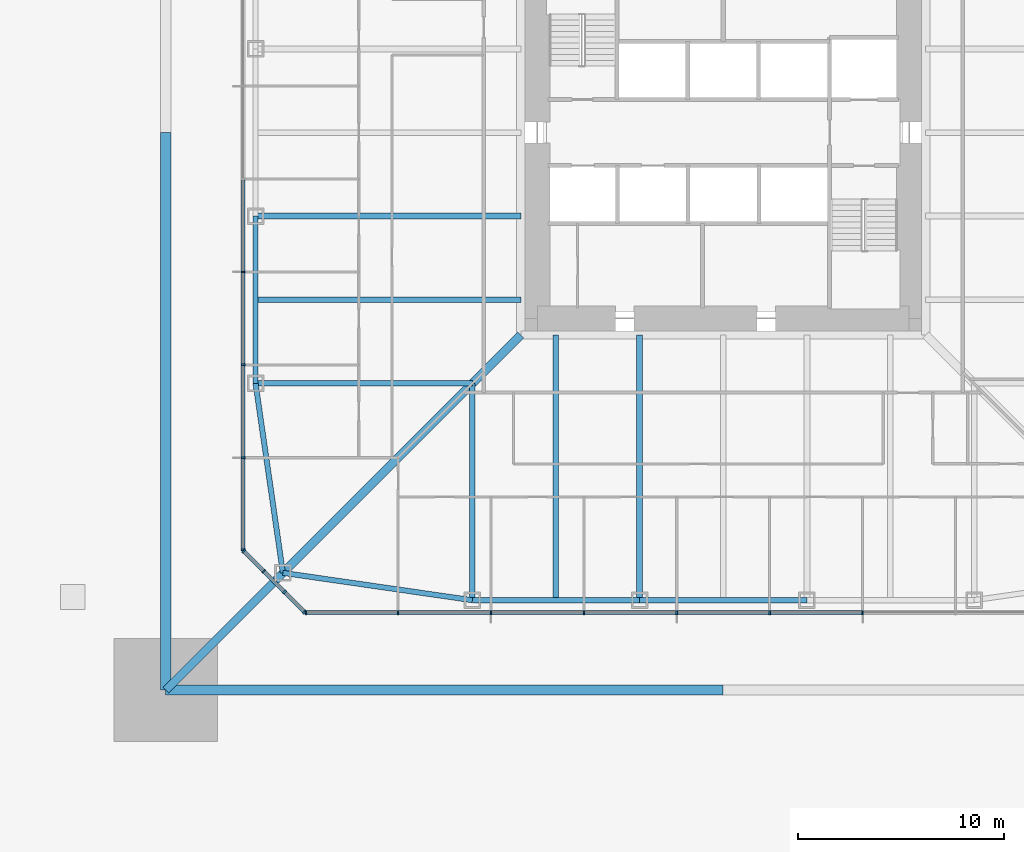
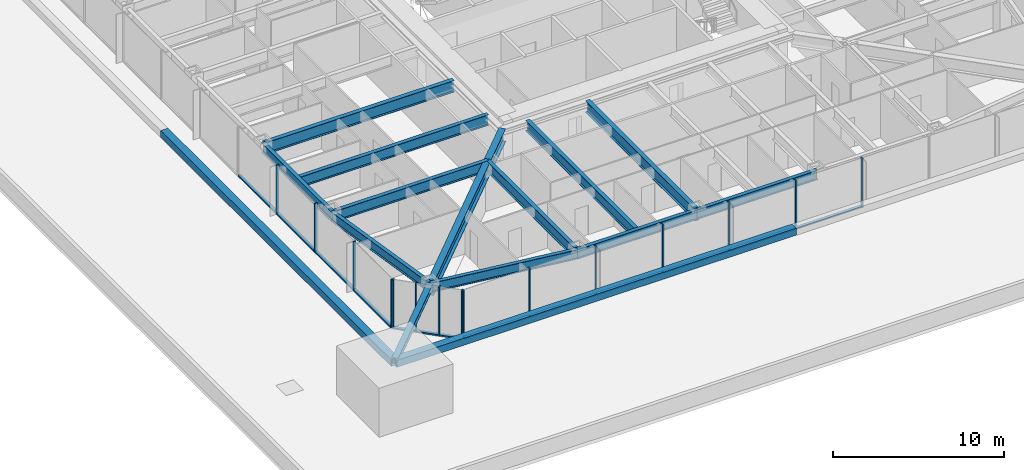
# One storey, part 3 of 31: 31 members, 12 beams, 3 elements without a shape of their own.
"""IFC4 building model written with IfcOpenShell, lengths in metres."""

from ifc_helpers import new_model, si_unit, direction, frame, origin, origin_2d, place, context, subcontext, project, spatial, rectangle, hollow_rectangle, i_section, extrude, material, material_profile, profile_set, type_object, element, aggregate, save


model = new_model("IFC4")

# Units and contexts
model_context = context("Model", 3, precision=1e-05, world=origin(), true_north=direction((0.0, 1.0)))
body_context = subcontext(model_context, "Body", "Model", "MODEL_VIEW")
ifc_project = project(units=[si_unit("LENGTHUNIT", "METRE"), si_unit("AREAUNIT", "SQUARE_METRE"), si_unit("VOLUMEUNIT", "CUBIC_METRE"), si_unit("PLANEANGLEUNIT", "RADIAN"), si_unit("MASSUNIT", "GRAM", prefix="KILO")], contexts=[model_context])

# Site, building, storey
site_placement = place(None, origin())
site = spatial("IfcSite", under=ifc_project, at=site_placement, CompositionType="ELEMENT")
building_placement = place(site_placement, origin())
building = spatial("IfcBuilding", under=site, at=building_placement, Name="Iwan Alto Co-Living Towers", CompositionType="ELEMENT")
storey_placement = place(building_placement, frame((0.0, 0.0, 15.0)))
storey = spatial("IfcBuildingStorey", under=building, at=storey_placement, Name="L03", CompositionType="ELEMENT", Elevation=15.0)

# Curtain wall, members
ifc_material_1 = material(Name="Bronze aluminium unitised frame", Category="aluminium")
curtain_wall_type_1 = type_object("IfcCurtainWallType", Name="CURTAIN WALL CW-A", PredefinedType="NOTDEFINED", material=ifc_material_1)
curtain_wall_1_placement = place(storey_placement, origin())
curtain_wall_1 = element("IfcCurtainWall", 1, at=curtain_wall_1_placement, inside=storey, type_object=curtain_wall_type_1, Name="T1 curtain wall S L03", PredefinedType="NOTDEFINED")
ifc_material_2 = material(Name="Aluminium 6063-T6 bronze anodised", Category="aluminium")
ifc_material_profile_1 = material_profile(ifc_material_2, rectangle(XDim=0.199951171875, YDim=0.080078125, at=origin_2d()), Name="AL 80X200")
ifc_profile_set_1 = profile_set([ifc_material_profile_1], Name="Aluminium 6063-T6 bronze anodised")
member_type_1 = type_object("IfcMemberType", Name="CW-A MULLION 80X200", PredefinedType="MULLION", material=ifc_profile_set_1)
member_1_placement = place(storey_placement, frame((-20.2099609375, -23.25, 0.0), z_axis=(0.0, 0.0, 1.0), x_axis=(0.0, 1.0, 0.0)))
member_1 = element("IfcMember", 2, at=member_1_placement, type_object=member_type_1, Name="CW-A mullion 1", PredefinedType="MULLION", context=body_context, shape_type="SweptSolid", body=[
    extrude(rectangle(XDim=0.199951171875, YDim=0.080078125, at=origin_2d()), origin(), (0.0, 0.0, 1.0), 3.5),
])
member_2_placement = place(storey_placement, frame((-15.75, -23.25, 0.0), z_axis=(0.0, 0.0, 1.0), x_axis=(0.0, 1.0, 0.0)))
member_2 = element("IfcMember", 3, at=member_2_placement, type_object=member_type_1, Name="CW-A mullion 2", PredefinedType="MULLION", context=body_context, shape_type="SweptSolid", body=[
    extrude(rectangle(XDim=0.199951171875, YDim=0.080078125, at=origin_2d()), origin(), (0.0, 0.0, 1.0), 3.5),
])
member_3_placement = place(storey_placement, frame((-11.25, -23.25, 0.0), z_axis=(0.0, 0.0, 1.0), x_axis=(0.0, 1.0, 0.0)))
member_3 = element("IfcMember", 4, at=member_3_placement, type_object=member_type_1, Name="CW-A mullion 3", PredefinedType="MULLION", context=body_context, shape_type="SweptSolid", body=[
    extrude(rectangle(XDim=0.199951171875, YDim=0.080078125, at=origin_2d()), origin(), (0.0, 0.0, 1.0), 3.5),
])
member_4_placement = place(storey_placement, frame((-6.75, -23.25, 0.0), z_axis=(0.0, 0.0, 1.0), x_axis=(0.0, 1.0, 0.0)))
member_4 = element("IfcMember", 5, at=member_4_placement, type_object=member_type_1, Name="CW-A mullion 4", PredefinedType="MULLION", context=body_context, shape_type="SweptSolid", body=[
    extrude(rectangle(XDim=0.199951171875, YDim=0.080078125, at=origin_2d()), origin(), (0.0, 0.0, 1.0), 3.5),
])
member_5_placement = place(storey_placement, frame((-2.25, -23.25, 0.0), z_axis=(0.0, 0.0, 1.0), x_axis=(0.0, 1.0, 0.0)))
member_5 = element("IfcMember", 6, at=member_5_placement, type_object=member_type_1, Name="CW-A mullion 5", PredefinedType="MULLION", context=body_context, shape_type="SweptSolid", body=[
    extrude(rectangle(XDim=0.199951171875, YDim=0.080078125, at=origin_2d()), origin(), (0.0, 0.0, 1.0), 3.5),
])
member_6_placement = place(storey_placement, frame((2.25, -23.25, 0.0), z_axis=(0.0, 0.0, 1.0), x_axis=(0.0, 1.0, 0.0)))
member_6 = element("IfcMember", 7, at=member_6_placement, type_object=member_type_1, Name="CW-A mullion 6", PredefinedType="MULLION", context=body_context, shape_type="SweptSolid", body=[
    extrude(rectangle(XDim=0.199951171875, YDim=0.080078125, at=origin_2d()), origin(), (0.0, 0.0, 1.0), 3.5),
])
member_7_placement = place(storey_placement, frame((6.75, -23.25, 0.0), z_axis=(0.0, 0.0, 1.0), x_axis=(0.0, 1.0, 0.0)))
member_7 = element("IfcMember", 8, at=member_7_placement, type_object=member_type_1, Name="CW-A mullion 7", PredefinedType="MULLION", context=body_context, shape_type="SweptSolid", body=[
    extrude(rectangle(XDim=0.199951171875, YDim=0.080078125, at=origin_2d()), origin(), (0.0, 0.0, 1.0), 3.5),
])

curtain_wall_2_placement = place(storey_placement, origin())
curtain_wall_2 = element("IfcCurtainWall", 9, at=curtain_wall_2_placement, inside=storey, type_object=curtain_wall_type_1, Name="T1 curtain wall W L03", PredefinedType="NOTDEFINED")
member_8_placement = place(storey_placement, frame((-23.25, -6.75, 0.0), z_axis=(0.0, 0.0, 1.0), x_axis=(1.0, 0.0, 0.0)))
member_8 = element("IfcMember", 10, at=member_8_placement, type_object=member_type_1, Name="CW-A mullion 7", PredefinedType="MULLION", context=body_context, shape_type="SweptSolid", body=[
    extrude(rectangle(XDim=0.199951171875, YDim=0.080078125, at=origin_2d()), origin(), (0.0, 0.0, 1.0), 3.5),
])
member_9_placement = place(storey_placement, frame((-23.25, -11.25, 0.0), z_axis=(0.0, 0.0, 1.0), x_axis=(1.0, 0.0, 0.0)))
member_9 = element("IfcMember", 11, at=member_9_placement, type_object=member_type_1, Name="CW-A mullion 8", PredefinedType="MULLION", context=body_context, shape_type="SweptSolid", body=[
    extrude(rectangle(XDim=0.199951171875, YDim=0.080078125, at=origin_2d()), origin(), (0.0, 0.0, 1.0), 3.5),
])
member_10_placement = place(storey_placement, frame((-23.25, -15.75, 0.0), z_axis=(0.0, 0.0, 1.0), x_axis=(1.0, 0.0, 0.0)))
member_10 = element("IfcMember", 12, at=member_10_placement, type_object=member_type_1, Name="CW-A mullion 9", PredefinedType="MULLION", context=body_context, shape_type="SweptSolid", body=[
    extrude(rectangle(XDim=0.199951171875, YDim=0.080078125, at=origin_2d()), origin(), (0.0, 0.0, 1.0), 3.5),
])
member_11_placement = place(storey_placement, frame((-23.25, -20.2099609375, 0.0), z_axis=(0.0, 0.0, 1.0), x_axis=(1.0, 0.0, 0.0)))
member_11 = element("IfcMember", 13, at=member_11_placement, type_object=member_type_1, Name="CW-A mullion 10", PredefinedType="MULLION", context=body_context, shape_type="SweptSolid", body=[
    extrude(rectangle(XDim=0.199951171875, YDim=0.080078125, at=origin_2d()), origin(), (0.0, 0.0, 1.0), 3.5),
])

# Member
ifc_material_3 = material(Name="Aluminium 6063-T6 bronze anodised", Category="aluminium")
ifc_material_profile_2 = material_profile(ifc_material_3, rectangle(XDim=0.199951171875, YDim=0.10009765625, at=origin_2d()), Name="AL 200X100")
ifc_profile_set_2 = profile_set([ifc_material_profile_2], Name="Aluminium 6063-T6 bronze anodised")
member_type_2 = type_object("IfcMemberType", Name="CW-A TRANSOM 200X100", PredefinedType="USERDEFINED", material=ifc_profile_set_2)
member_12_placement = place(storey_placement, frame((-20.169921875, -23.25, 0.050048828125), z_axis=(1.0, 0.0, 0.0), x_axis=(0.0, 1.0, 0.0)))
member_12 = element("IfcMember", 14, at=member_12_placement, type_object=member_type_2, Name="CW-A transom 1.1", ObjectType="TRANSOM", PredefinedType="USERDEFINED", context=body_context, shape_type="SweptSolid", body=[
    extrude(rectangle(XDim=0.199951171875, YDim=0.10009765625, at=origin_2d()), origin(), (0.0, 0.0, 1.0), 4.3798828125),
])

member_13_placement = place(storey_placement, frame((-15.7099609375, -23.25, 0.050048828125), z_axis=(1.0, 0.0, 0.0), x_axis=(0.0, 1.0, 0.0)))
member_13 = element("IfcMember", 15, at=member_13_placement, type_object=member_type_2, Name="CW-A transom 2.1", ObjectType="TRANSOM", PredefinedType="USERDEFINED", context=body_context, shape_type="SweptSolid", body=[
    extrude(rectangle(XDim=0.199951171875, YDim=0.10009765625, at=origin_2d()), origin(), (0.0, 0.0, 1.0), 4.419921875),
])

member_14_placement = place(storey_placement, frame((-11.2099609375, -23.25, 0.050048828125), z_axis=(1.0, 0.0, 0.0), x_axis=(0.0, 1.0, 0.0)))
member_14 = element("IfcMember", 16, at=member_14_placement, type_object=member_type_2, Name="CW-A transom 3.1", ObjectType="TRANSOM", PredefinedType="USERDEFINED", context=body_context, shape_type="SweptSolid", body=[
    extrude(rectangle(XDim=0.199951171875, YDim=0.10009765625, at=origin_2d()), origin(), (0.0, 0.0, 1.0), 4.419921875),
])

member_15_placement = place(storey_placement, frame((-6.7099609375, -23.25, 0.050048828125), z_axis=(1.0, 0.0, 0.0), x_axis=(0.0, 1.0, 0.0)))
member_15 = element("IfcMember", 17, at=member_15_placement, type_object=member_type_2, Name="CW-A transom 4.1", ObjectType="TRANSOM", PredefinedType="USERDEFINED", context=body_context, shape_type="SweptSolid", body=[
    extrude(rectangle(XDim=0.199951171875, YDim=0.10009765625, at=origin_2d()), origin(), (0.0, 0.0, 1.0), 4.419921875),
])

member_16_placement = place(storey_placement, frame((-2.2099609375, -23.25, 0.050048828125), z_axis=(1.0, 0.0, 0.0), x_axis=(0.0, 1.0, 0.0)))
member_16 = element("IfcMember", 18, at=member_16_placement, type_object=member_type_2, Name="CW-A transom 5.1", ObjectType="TRANSOM", PredefinedType="USERDEFINED", context=body_context, shape_type="SweptSolid", body=[
    extrude(rectangle(XDim=0.199951171875, YDim=0.10009765625, at=origin_2d()), origin(), (0.0, 0.0, 1.0), 4.419921875),
])

member_17_placement = place(storey_placement, frame((2.2900390625, -23.25, 0.050048828125), z_axis=(1.0, 0.0, 0.0), x_axis=(0.0, 1.0, 0.0)))
member_17 = element("IfcMember", 19, at=member_17_placement, type_object=member_type_2, Name="CW-A transom 6.1", ObjectType="TRANSOM", PredefinedType="USERDEFINED", context=body_context, shape_type="SweptSolid", body=[
    extrude(rectangle(XDim=0.199951171875, YDim=0.10009765625, at=origin_2d()), origin(), (0.0, 0.0, 1.0), 4.419921875),
])

aggregate(curtain_wall_1, [member_1, member_2, member_3, member_4, member_5, member_6, member_7, member_12, member_13, member_14, member_15, member_16, member_17])

member_18_placement = place(storey_placement, frame((-23.25, -2.2900390625, 0.050048828125), z_axis=(0.0, -1.0, 0.0), x_axis=(1.0, 0.0, 0.0)))
member_18 = element("IfcMember", 20, at=member_18_placement, type_object=member_type_2, Name="CW-A transom 6.1", ObjectType="TRANSOM", PredefinedType="USERDEFINED", context=body_context, shape_type="SweptSolid", body=[
    extrude(rectangle(XDim=0.199951171875, YDim=0.10009765625, at=origin_2d()), origin(), (0.0, 0.0, 1.0), 4.419921875),
])

member_19_placement = place(storey_placement, frame((-23.25, -6.7900390625, 0.050048828125), z_axis=(0.0, -1.0, 0.0), x_axis=(1.0, 0.0, 0.0)))
member_19 = element("IfcMember", 21, at=member_19_placement, type_object=member_type_2, Name="CW-A transom 7.1", ObjectType="TRANSOM", PredefinedType="USERDEFINED", context=body_context, shape_type="SweptSolid", body=[
    extrude(rectangle(XDim=0.199951171875, YDim=0.10009765625, at=origin_2d()), origin(), (0.0, 0.0, 1.0), 4.419921875),
])

member_20_placement = place(storey_placement, frame((-23.25, -11.2900390625, 0.050048828125), z_axis=(0.0, -1.0, 0.0), x_axis=(1.0, 0.0, 0.0)))
member_20 = element("IfcMember", 22, at=member_20_placement, type_object=member_type_2, Name="CW-A transom 8.1", ObjectType="TRANSOM", PredefinedType="USERDEFINED", context=body_context, shape_type="SweptSolid", body=[
    extrude(rectangle(XDim=0.199951171875, YDim=0.10009765625, at=origin_2d()), origin(), (0.0, 0.0, 1.0), 4.419921875),
])

member_21_placement = place(storey_placement, frame((-23.25, -15.7900390625, 0.050048828125), z_axis=(0.0, -1.0, 0.0), x_axis=(1.0, 0.0, 0.0)))
member_21 = element("IfcMember", 23, at=member_21_placement, type_object=member_type_2, Name="CW-A transom 9.1", ObjectType="TRANSOM", PredefinedType="USERDEFINED", context=body_context, shape_type="SweptSolid", body=[
    extrude(rectangle(XDim=0.199951171875, YDim=0.10009765625, at=origin_2d()), origin(), (0.0, 0.0, 1.0), 4.3798828125),
])

aggregate(curtain_wall_2, [member_8, member_9, member_10, member_11, member_18, member_19, member_20, member_21])

# Curtain wall, members
ifc_material_4 = material(Name="Bronze aluminium unitised frame", Category="aluminium")
curtain_wall_type_2 = type_object("IfcCurtainWallType", Name="CURTAIN WALL CW-B", PredefinedType="NOTDEFINED", material=ifc_material_4)
curtain_wall_3_placement = place(storey_placement, origin())
curtain_wall_3 = element("IfcCurtainWall", 24, at=curtain_wall_3_placement, inside=storey, type_object=curtain_wall_type_2, Name="T1 chamfer curtain wall SW L03", PredefinedType="NOTDEFINED")
ifc_material_5 = material(Name="Aluminium 6063-T6 bronze anodised", Category="aluminium")
ifc_material_profile_3 = material_profile(ifc_material_5, rectangle(XDim=0.199951171875, YDim=0.080078125, at=origin_2d()), Name="AL 80X200")
ifc_profile_set_3 = profile_set([ifc_material_profile_3], Name="Aluminium 6063-T6 bronze anodised")
member_type_3 = type_object("IfcMemberType", Name="CW-B MULLION 80X200", PredefinedType="MULLION", material=ifc_profile_set_3)
member_22_placement = place(storey_placement, frame((-23.2216796875, -20.2783203125, 0.0), z_axis=(0.0, 0.0, 1.0), x_axis=(0.707106781187, 0.707106781187, 0.0)))
member_22 = element("IfcMember", 25, at=member_22_placement, type_object=member_type_3, Name="CW-B mullion 1", PredefinedType="MULLION", context=body_context, shape_type="SweptSolid", body=[
    extrude(rectangle(XDim=0.199951171875, YDim=0.080078125, at=origin_2d()), origin(), (0.0, 0.0, 1.0), 3.5),
])
member_23_placement = place(storey_placement, frame((-22.25, -21.25, 0.0), z_axis=(0.0, 0.0, 1.0), x_axis=(0.707106781187, 0.707106781187, 0.0)))
member_23 = element("IfcMember", 26, at=member_23_placement, type_object=member_type_3, Name="CW-B mullion 2", PredefinedType="MULLION", context=body_context, shape_type="SweptSolid", body=[
    extrude(rectangle(XDim=0.199951171875, YDim=0.080078125, at=origin_2d()), origin(), (0.0, 0.0, 1.0), 3.5),
])
member_24_placement = place(storey_placement, frame((-21.25, -22.25, 0.0), z_axis=(0.0, 0.0, 1.0), x_axis=(0.707106781187, 0.707106781187, 0.0)))
member_24 = element("IfcMember", 27, at=member_24_placement, type_object=member_type_3, Name="CW-B mullion 3", PredefinedType="MULLION", context=body_context, shape_type="SweptSolid", body=[
    extrude(rectangle(XDim=0.199951171875, YDim=0.080078125, at=origin_2d()), origin(), (0.0, 0.0, 1.0), 3.5),
])
member_25_placement = place(storey_placement, frame((-20.2783203125, -23.2216796875, 0.0), z_axis=(0.0, 0.0, 1.0), x_axis=(0.707106781187, 0.707106781187, 0.0)))
member_25 = element("IfcMember", 28, at=member_25_placement, type_object=member_type_3, Name="CW-B mullion 4", PredefinedType="MULLION", context=body_context, shape_type="SweptSolid", body=[
    extrude(rectangle(XDim=0.199951171875, YDim=0.080078125, at=origin_2d()), origin(), (0.0, 0.0, 1.0), 3.5),
])
ifc_material_6 = material(Name="Aluminium 6063-T6 bronze anodised", Category="aluminium")
ifc_material_profile_4 = material_profile(ifc_material_6, rectangle(XDim=0.199951171875, YDim=0.10009765625, at=origin_2d()), Name="AL 200X100")
ifc_profile_set_4 = profile_set([ifc_material_profile_4], Name="Aluminium 6063-T6 bronze anodised")
member_type_4 = type_object("IfcMemberType", Name="CW-B TRANSOM 200X100", PredefinedType="USERDEFINED", material=ifc_profile_set_4)
member_26_placement = place(storey_placement, frame((-23.193359375, -20.306640625, 0.050048828125), z_axis=(0.707106781187, -0.707106781187, 0.0), x_axis=(0.707106781187, 0.707106781187, 0.0)))
member_26 = element("IfcMember", 29, at=member_26_placement, type_object=member_type_4, Name="CW-B transom 1.1", ObjectType="TRANSOM", PredefinedType="USERDEFINED", context=body_context, shape_type="SweptSolid", body=[
    extrude(rectangle(XDim=0.199951171875, YDim=0.10009765625, at=origin_2d()), origin(), (0.0, 0.0, 1.0), 1.2939453125),
])
member_27_placement = place(storey_placement, frame((-22.2216796875, -21.2783203125, 0.050048828125), z_axis=(0.707106781187, -0.707106781187, 0.0), x_axis=(0.707106781187, 0.707106781187, 0.0)))
member_27 = element("IfcMember", 30, at=member_27_placement, type_object=member_type_4, Name="CW-B transom 2.1", ObjectType="TRANSOM", PredefinedType="USERDEFINED", context=body_context, shape_type="SweptSolid", body=[
    extrude(rectangle(XDim=0.199951171875, YDim=0.10009765625, at=origin_2d()), origin(), (0.0, 0.0, 1.0), 1.334228515625),
])
member_28_placement = place(storey_placement, frame((-21.2216796875, -22.2783203125, 0.050048828125), z_axis=(0.707106781187, -0.707106781187, 0.0), x_axis=(0.707106781187, 0.707106781187, 0.0)))
member_28 = element("IfcMember", 31, at=member_28_placement, type_object=member_type_4, Name="CW-B transom 3.1", ObjectType="TRANSOM", PredefinedType="USERDEFINED", context=body_context, shape_type="SweptSolid", body=[
    extrude(rectangle(XDim=0.199951171875, YDim=0.10009765625, at=origin_2d()), origin(), (0.0, 0.0, 1.0), 1.2939453125),
])
aggregate(curtain_wall_3, [member_22, member_23, member_24, member_25, member_26, member_27, member_28])

# Beams
ifc_material_7 = material(Name="Steel ASTM A992 Gr 50", Category="steel")
ifc_material_profile_5 = material_profile(ifc_material_7, i_section(OverallWidth=0.419189453125, OverallDepth=0.927001953125, WebThickness=0.019287109375, FlangeThickness=0.031982421875, at=origin_2d()), Name="W36X231")
ifc_profile_set_5 = profile_set([ifc_material_profile_5], Name="Steel ASTM A992 Gr 50")
beam_type_1 = type_object("IfcBeamType", Name="T1 CORNER GIRDER W36X231", PredefinedType="BEAM", material=ifc_profile_set_5)
beam_1_placement = place(storey_placement, frame((-21.32568359375, -21.32568359375, 2.806396484375), z_axis=(0.707106781187, 0.707106781187, 0.0), x_axis=(-0.707106781187, 0.707106781187, 0.0)))
element("IfcBeam", 32, at=beam_1_placement, inside=storey, type_object=beam_type_1, Name="T1 corner girder CSW L04", PredefinedType="BEAM", context=body_context, shape_type="SweptSolid", body=[
    extrude(i_section(OverallWidth=0.419189453125, OverallDepth=0.927001953125, WebThickness=0.019287109375, FlangeThickness=0.031982421875, at=origin_2d()), origin(), (0.0, 0.0, 1.0), 16.296875),
])
ifc_material_8 = material(Name="Steel ASTM A992 Gr 50", Category="steel")
ifc_material_profile_6 = material_profile(ifc_material_8, i_section(OverallWidth=0.25390625, OverallDepth=0.683349609375, WebThickness=0.012451171875, FlangeThickness=0.018798828125, at=origin_2d()), Name="W27X94")
ifc_profile_set_6 = profile_set([ifc_material_profile_6], Name="Steel ASTM A992 Gr 50")
beam_type_2 = type_object("IfcBeamType", Name="T1 EDGE BEAM W27X94", PredefinedType="BEAM", material=ifc_profile_set_6)
beam_2_placement = place(storey_placement, frame((-21.32568359375, -21.32568359375, 2.928466796875), z_axis=(0.989746234347, -0.142836940589, 0.0), x_axis=(0.142836940589, 0.989746234347, 0.0)))
element("IfcBeam", 33, at=beam_2_placement, inside=storey, type_object=beam_type_2, Name="T1 edge beam CSW L04", PredefinedType="BEAM", context=body_context, shape_type="SweptSolid", body=[
    extrude(i_section(OverallWidth=0.25390625, OverallDepth=0.683349609375, WebThickness=0.012451171875, FlangeThickness=0.018798828125, at=origin_2d()), origin(), (0.0, 0.0, 1.0), 9.270751953125),
])
beam_3_placement = place(storey_placement, frame((-12.14990234375, -22.64990234375, 2.928466796875), z_axis=(1.0, 0.0, 0.0), x_axis=(0.0, 1.0, 0.0)))
element("IfcBeam", 34, at=beam_3_placement, inside=storey, type_object=beam_type_2, Name="T1 edge beam S1 L04", PredefinedType="BEAM", context=body_context, shape_type="SweptSolid", body=[
    extrude(i_section(OverallWidth=0.25390625, OverallDepth=0.683349609375, WebThickness=0.012451171875, FlangeThickness=0.018798828125, at=origin_2d()), origin(), (0.0, 0.0, 1.0), 8.099853515625),
])
beam_4_placement = place(storey_placement, frame((-4.050048828125, -22.64990234375, 2.928466796875), z_axis=(1.0, 0.0, 0.0), x_axis=(0.0, 1.0, 0.0)))
element("IfcBeam", 35, at=beam_4_placement, inside=storey, type_object=beam_type_2, Name="T1 edge beam S2 L04", PredefinedType="BEAM", context=body_context, shape_type="SweptSolid", body=[
    extrude(i_section(OverallWidth=0.25390625, OverallDepth=0.683349609375, WebThickness=0.012451171875, FlangeThickness=0.018798828125, at=origin_2d()), origin(), (0.0, 0.0, 1.0), 8.10009765625),
])
beam_5_placement = place(storey_placement, frame((-22.64990234375, -4.050048828125, 2.928466796875), z_axis=(0.0, -1.0, 0.0), x_axis=(1.0, 0.0, 0.0)))
element("IfcBeam", 36, at=beam_5_placement, inside=storey, type_object=beam_type_2, Name="T1 edge beam W3 L04", PredefinedType="BEAM", context=body_context, shape_type="SweptSolid", body=[
    extrude(i_section(OverallWidth=0.25390625, OverallDepth=0.683349609375, WebThickness=0.012451171875, FlangeThickness=0.018798828125, at=origin_2d()), origin(), (0.0, 0.0, 1.0), 8.099853515625),
])
beam_6_placement = place(storey_placement, frame((-22.64990234375, -12.14990234375, 2.928466796875), z_axis=(0.142836940589, -0.989746234347, 0.0), x_axis=(0.989746234347, 0.142836940589, 0.0)))
element("IfcBeam", 37, at=beam_6_placement, inside=storey, type_object=beam_type_2, Name="T1 edge beam W4 L04", PredefinedType="BEAM", context=body_context, shape_type="SweptSolid", body=[
    extrude(i_section(OverallWidth=0.25390625, OverallDepth=0.683349609375, WebThickness=0.012451171875, FlangeThickness=0.018798828125, at=origin_2d()), origin(), (0.0, 0.0, 1.0), 9.270751953125),
])

# Members
ifc_material_9 = material(Name="Steel ASTM A992 Gr 50", Category="steel")
ifc_material_profile_7 = material_profile(ifc_material_9, i_section(OverallWidth=0.393798828125, OverallDepth=0.3759765625, WebThickness=0.017333984375, FlangeThickness=0.027587890625, at=origin_2d()), Name="W14X145")
ifc_profile_set_7 = profile_set([ifc_material_profile_7], Name="Steel ASTM A992 Gr 50")
member_type_5 = type_object("IfcMemberType", Name="T1 MEGA COLUMN FLOOR TIE W14X145", PredefinedType="STRUT", material=ifc_profile_set_7)
member_29_placement = place(storey_placement, frame((-27.0, -27.0, 3.08203125), z_axis=(0.707106781187, 0.707106781187, 0.0), x_axis=(-0.707106781187, 0.707106781187, 0.0)))
element("IfcMember", 38, at=member_29_placement, inside=storey, type_object=member_type_5, Name="T1 mega column floor tie SW L04", PredefinedType="STRUT", context=body_context, shape_type="SweptSolid", body=[
    extrude(i_section(OverallWidth=0.393798828125, OverallDepth=0.3759765625, WebThickness=0.017333984375, FlangeThickness=0.027587890625, at=origin_2d()), origin(), (0.0, 0.0, 1.0), 8.024658203125),
])
ifc_material_10 = material(Name="Steel ASTM A572 Gr 50", Category="steel")
ifc_material_profile_8 = material_profile(ifc_material_10, hollow_rectangle(XDim=0.5, YDim=0.5, WallThickness=0.031982421875, at=origin_2d()), Name="BOX 500X500X32")
ifc_profile_set_8 = profile_set([ifc_material_profile_8], Name="Steel ASTM A572 Gr 50")
member_type_6 = type_object("IfcMemberType", Name="T1 MEGA TIE BOX 500X500X32", PredefinedType="STRUT", material=ifc_profile_set_8)
for number, where, z_axis, x_axis, name in (
    (39, (-27.0, -27.0, 3.0), (1.0, 0.0, 0.0), (0.0, 1.0, 0.0), "T1 mega tie Z1A S 1"),
    (40, (-27.0, 0.0, 3.0), (0.0, -1.0, 0.0), (1.0, 0.0, 0.0), "T1 mega tie Z1A W 2"),
):
    element("IfcMember", number, at=place(storey_placement, frame(where, z_axis=z_axis, x_axis=x_axis)), inside=storey, type_object=member_type_6, Name=name, PredefinedType="STRUT", context=body_context, shape_type="SweptSolid", body=[
        extrude(hollow_rectangle(XDim=0.5, YDim=0.5, WallThickness=0.031982421875, at=origin_2d()), origin(), (0.0, 0.0, 1.0), 27.0),
    ])

# Beams
ifc_material_11 = material(Name="Steel ASTM A992 Gr 50", Category="steel")
ifc_material_profile_9 = material_profile(ifc_material_11, i_section(OverallWidth=0.2666015625, OverallDepth=0.761962890625, WebThickness=0.014404296875, FlangeThickness=0.021484375, at=origin_2d()), Name="W30X116")
ifc_profile_set_9 = profile_set([ifc_material_profile_9], Name="Steel ASTM A992 Gr 50")
beam_type_3 = type_object("IfcBeamType", Name="T1 RADIAL BEAM W30X116", PredefinedType="BEAM", material=ifc_profile_set_9)
for number, where, z_axis, x_axis, name in (
    (41, (-12.14990234375, -22.64990234375, 2.888916015625), (0.0, 1.0, 0.0), (-1.0, 0.0, 0.0), "T1 radial beam S1 L04"),
    (42, (-22.64990234375, -12.14990234375, 2.888916015625), (1.0, 0.0, 0.0), (0.0, 1.0, 0.0), "T1 radial beam W4 L04"),
):
    element("IfcBeam", number, at=place(storey_placement, frame(where, z_axis=z_axis, x_axis=x_axis)), inside=storey, type_object=beam_type_3, Name=name, PredefinedType="BEAM", context=body_context, shape_type="SweptSolid", body=[
        extrude(i_section(OverallWidth=0.2666015625, OverallDepth=0.761962890625, WebThickness=0.014404296875, FlangeThickness=0.021484375, at=origin_2d()), origin(), (0.0, 0.0, 1.0), 10.5),
    ])
ifc_material_12 = material(Name="Steel ASTM A992 Gr 50", Category="steel")
ifc_material_profile_10 = material_profile(ifc_material_12, i_section(OverallWidth=0.2919921875, OverallDepth=0.8408203125, WebThickness=0.0146484375, FlangeThickness=0.021728515625, at=origin_2d()), Name="W33X130")
ifc_profile_set_10 = profile_set([ifc_material_profile_10], Name="Steel ASTM A992 Gr 50")
beam_type_4 = type_object("IfcBeamType", Name="T1 RADIAL BEAM W33X130", PredefinedType="BEAM", material=ifc_profile_set_10)
for number, where, z_axis, x_axis, name in (
    (43, (-4.050048828125, -22.64990234375, 2.849609375), (0.0, 1.0, 0.0), (-1.0, 0.0, 0.0), "T1 radial beam S2 L04"),
    (44, (-22.64990234375, -4.050048828125, 2.849609375), (1.0, 0.0, 0.0), (0.0, 1.0, 0.0), "T1 radial beam W3 L04"),
):
    element("IfcBeam", number, at=place(storey_placement, frame(where, z_axis=z_axis, x_axis=x_axis)), inside=storey, type_object=beam_type_4, Name=name, PredefinedType="BEAM", context=body_context, shape_type="SweptSolid", body=[
        extrude(i_section(OverallWidth=0.2919921875, OverallDepth=0.8408203125, WebThickness=0.0146484375, FlangeThickness=0.021728515625, at=origin_2d()), origin(), (0.0, 0.0, 1.0), 12.847900390625),
    ])
ifc_material_13 = material(Name="Steel ASTM A992 Gr 50", Category="steel")
ifc_material_profile_11 = material_profile(ifc_material_13, i_section(OverallWidth=0.2666015625, OverallDepth=0.761962890625, WebThickness=0.014404296875, FlangeThickness=0.021484375, at=origin_2d()), Name="W30X116")
ifc_profile_set_11 = profile_set([ifc_material_profile_11], Name="Steel ASTM A992 Gr 50")
beam_type_5 = type_object("IfcBeamType", Name="T1 SECONDARY BEAM W30X116", PredefinedType="JOIST", material=ifc_profile_set_11)
for number, where, z_axis, x_axis, name in (
    (45, (-8.10009765625, -22.64990234375, 2.888916015625), (0.0, 1.0, 0.0), (-1.0, 0.0, 0.0), "T1 secondary beam S1 L04"),
    (46, (-22.64990234375, -8.10009765625, 2.888916015625), (1.0, 0.0, 0.0), (0.0, 1.0, 0.0), "T1 secondary beam W3 L04"),
):
    element("IfcBeam", number, at=place(storey_placement, frame(where, z_axis=z_axis, x_axis=x_axis)), inside=storey, type_object=beam_type_5, Name=name, PredefinedType="JOIST", context=body_context, shape_type="SweptSolid", body=[
        extrude(i_section(OverallWidth=0.2666015625, OverallDepth=0.761962890625, WebThickness=0.014404296875, FlangeThickness=0.021484375, at=origin_2d()), origin(), (0.0, 0.0, 1.0), 12.847900390625),
    ])

save(model, "model.ifc")
